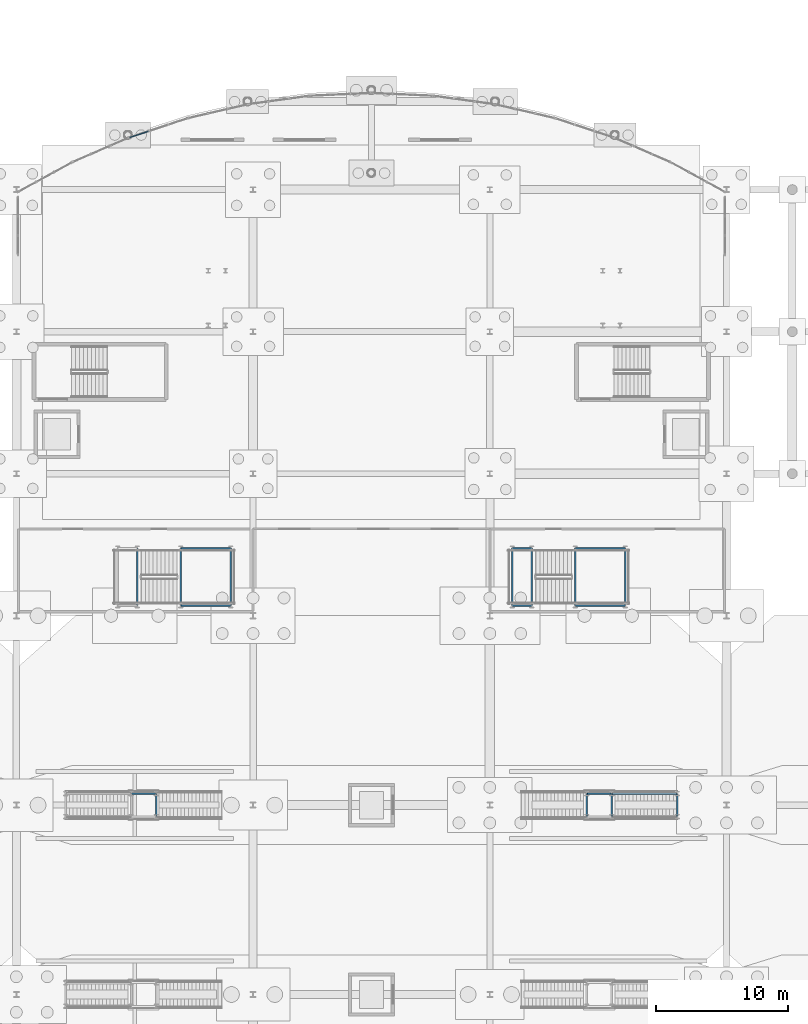
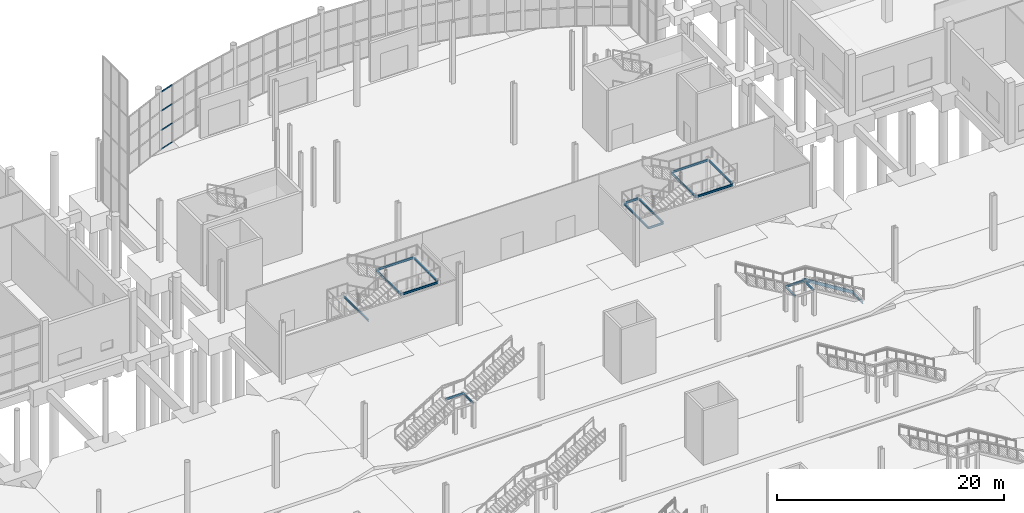
# One storey, part 59 of 115: 19 beams, 5 members, 1 element without a shape of its own.
"""IFC4 building model written with IfcOpenShell, lengths in metres."""

from ifc_helpers import new_model, si_unit, direction, frame, origin, origin_2d, place, context, subcontext, project, spatial, hollow_rectangle, i_section, extrude, material, layer, layer_set, material_profile, profile_set, type_object, element, aggregate, save


model = new_model("IFC4")

# Units and contexts
model_context = context("Model", 3, precision=1e-05, world=origin(), true_north=direction((0.0, 1.0)))
body_context = subcontext(model_context, "Body", "Model", "MODEL_VIEW")
ifc_project = project(units=[si_unit("LENGTHUNIT", "METRE"), si_unit("AREAUNIT", "SQUARE_METRE"), si_unit("VOLUMEUNIT", "CUBIC_METRE"), si_unit("PLANEANGLEUNIT", "RADIAN"), si_unit("MASSUNIT", "GRAM", prefix="KILO")], contexts=[model_context])

# Site, building, storey
site_placement = place(None, origin())
site = spatial("IfcSite", under=ifc_project, at=site_placement, CompositionType="ELEMENT")
building_placement = place(site_placement, origin())
building = spatial("IfcBuilding", under=site, at=building_placement, Name="Tamarisk Ironworks Central Station", CompositionType="ELEMENT")
storey_placement = place(building_placement, origin())
storey = spatial("IfcBuildingStorey", under=building, at=storey_placement, Name="L00", CompositionType="ELEMENT", Elevation=0.0)

# Beams
ifc_material_1 = material(Name="Structural steel S355J2", Category="steel")
ifc_material_profile_1 = material_profile(ifc_material_1, i_section(OverallWidth=0.110107421875, OverallDepth=0.219970703125, WebThickness=0.005859375, FlangeThickness=0.00927734375, at=origin_2d()), Name="IPE 220")
ifc_profile_set_1 = profile_set([ifc_material_profile_1], Name="Structural steel S355J2")
beam_type = type_object("IfcBeamType", Name="BM-J02", PredefinedType="JOIST", material=ifc_profile_set_1)
beam_1_placement = place(storey_placement, frame((63.199951171875, 79.965087890625, 2.97998046875), z_axis=(0.0, 1.0, 0.0), x_axis=(-1.0, 0.0, 0.0)))
element("IfcBeam", 1, at=beam_1_placement, inside=storey, type_object=beam_type, Name="ST-TH1 landing frame beam Z1-4", PredefinedType="JOIST", context=body_context, shape_type="SweptSolid", body=[
    extrude(i_section(OverallWidth=0.110107421875, OverallDepth=0.219970703125, WebThickness=0.005859375, FlangeThickness=0.00927734375, at=origin_2d()), origin(), (0.0, 0.0, 1.0), 4.369873046875),
])
for number, where, z_axis, x_axis, name in (
    (2, (66.5, 79.965087890625, 4.6298828125), (1.0, 0.0, 0.0), (0.0, 1.0, 0.0), "ST-TH1 landing frame beam Z2-1"),
    (3, (66.5, 84.3349609375, 4.6298828125), (1.0, 0.0, 0.0), (0.0, 1.0, 0.0), "ST-TH1 landing frame beam Z2-2"),
):
    element("IfcBeam", number, at=place(storey_placement, frame(where, z_axis=z_axis, x_axis=x_axis)), inside=storey, type_object=beam_type, Name=name, PredefinedType="JOIST", context=body_context, shape_type="SweptSolid", body=[
        extrude(i_section(OverallWidth=0.110107421875, OverallDepth=0.219970703125, WebThickness=0.005859375, FlangeThickness=0.00927734375, at=origin_2d()), origin(), (0.0, 0.0, 1.0), 3.800048828125),
    ])
for number, where, z_axis, x_axis, name in (
    (4, (66.5, 79.965087890625, 4.6298828125), (0.0, 1.0, 0.0), (-1.0, 0.0, 0.0), "ST-TH1 landing frame beam Z2-3"),
    (5, (70.300048828125, 79.965087890625, 4.6298828125), (0.0, 1.0, 0.0), (-1.0, 0.0, 0.0), "ST-TH1 landing frame beam Z2-4"),
):
    element("IfcBeam", number, at=place(storey_placement, frame(where, z_axis=z_axis, x_axis=x_axis)), inside=storey, type_object=beam_type, Name=name, PredefinedType="JOIST", context=body_context, shape_type="SweptSolid", body=[
        extrude(i_section(OverallWidth=0.110107421875, OverallDepth=0.219970703125, WebThickness=0.005859375, FlangeThickness=0.00927734375, at=origin_2d()), origin(), (0.0, 0.0, 1.0), 4.369873046875),
    ])
for number, where, z_axis, x_axis, name in (
    (6, (91.699951171875, 79.965087890625, 2.97998046875), (1.0, 0.0, 0.0), (0.0, 1.0, 0.0), "ST-TH2 landing frame beam Z1-1"),
    (7, (91.699951171875, 84.3349609375, 2.97998046875), (1.0, 0.0, 0.0), (0.0, 1.0, 0.0), "ST-TH2 landing frame beam Z1-2"),
):
    element("IfcBeam", number, at=place(storey_placement, frame(where, z_axis=z_axis, x_axis=x_axis)), inside=storey, type_object=beam_type, Name=name, PredefinedType="JOIST", context=body_context, shape_type="SweptSolid", body=[
        extrude(i_section(OverallWidth=0.110107421875, OverallDepth=0.219970703125, WebThickness=0.005859375, FlangeThickness=0.00927734375, at=origin_2d()), origin(), (0.0, 0.0, 1.0), 1.5),
    ])
for number, where, z_axis, x_axis, name in (
    (8, (91.699951171875, 79.965087890625, 2.97998046875), (0.0, 1.0, 0.0), (-1.0, 0.0, 0.0), "ST-TH2 landing frame beam Z1-3"),
    (9, (93.199951171875, 79.965087890625, 2.97998046875), (0.0, 1.0, 0.0), (-1.0, 0.0, 0.0), "ST-TH2 landing frame beam Z1-4"),
):
    element("IfcBeam", number, at=place(storey_placement, frame(where, z_axis=z_axis, x_axis=x_axis)), inside=storey, type_object=beam_type, Name=name, PredefinedType="JOIST", context=body_context, shape_type="SweptSolid", body=[
        extrude(i_section(OverallWidth=0.110107421875, OverallDepth=0.219970703125, WebThickness=0.005859375, FlangeThickness=0.00927734375, at=origin_2d()), origin(), (0.0, 0.0, 1.0), 4.369873046875),
    ])
for number, where, z_axis, x_axis, name in (
    (10, (96.5, 79.965087890625, 4.6298828125), (1.0, 0.0, 0.0), (0.0, 1.0, 0.0), "ST-TH2 landing frame beam Z2-1"),
    (11, (96.5, 84.3349609375, 4.6298828125), (1.0, 0.0, 0.0), (0.0, 1.0, 0.0), "ST-TH2 landing frame beam Z2-2"),
):
    element("IfcBeam", number, at=place(storey_placement, frame(where, z_axis=z_axis, x_axis=x_axis)), inside=storey, type_object=beam_type, Name=name, PredefinedType="JOIST", context=body_context, shape_type="SweptSolid", body=[
        extrude(i_section(OverallWidth=0.110107421875, OverallDepth=0.219970703125, WebThickness=0.005859375, FlangeThickness=0.00927734375, at=origin_2d()), origin(), (0.0, 0.0, 1.0), 3.800048828125),
    ])
for number, where, z_axis, x_axis, name in (
    (12, (96.5, 79.965087890625, 4.6298828125), (0.0, 1.0, 0.0), (-1.0, 0.0, 0.0), "ST-TH2 landing frame beam Z2-3"),
    (13, (100.300048828125, 79.965087890625, 4.6298828125), (0.0, 1.0, 0.0), (-1.0, 0.0, 0.0), "ST-TH2 landing frame beam Z2-4"),
):
    element("IfcBeam", number, at=place(storey_placement, frame(where, z_axis=z_axis, x_axis=x_axis)), inside=storey, type_object=beam_type, Name=name, PredefinedType="JOIST", context=body_context, shape_type="SweptSolid", body=[
        extrude(i_section(OverallWidth=0.110107421875, OverallDepth=0.219970703125, WebThickness=0.005859375, FlangeThickness=0.00927734375, at=origin_2d()), origin(), (0.0, 0.0, 1.0), 4.369873046875),
    ])
beam_2_placement = place(storey_placement, frame((62.739990234375, 65.679931640625, 3.330078125), z_axis=(1.0, 0.0, 0.0), x_axis=(0.0, 1.0, 0.0)))
element("IfcBeam", 14, at=beam_2_placement, inside=storey, type_object=beam_type, Name="ST-P4A mid-landing tie beam 2", PredefinedType="JOIST", context=body_context, shape_type="SweptSolid", body=[
    extrude(i_section(OverallWidth=0.110107421875, OverallDepth=0.219970703125, WebThickness=0.005859375, FlangeThickness=0.00927734375, at=origin_2d()), origin(), (0.0, 0.0, 1.0), 1.880126953125),
])
beam_3_placement = place(storey_placement, frame((64.6201171875, 63.919921875, 3.330078125), z_axis=(0.0, 1.0, 0.0), x_axis=(-1.0, 0.0, 0.0)))
element("IfcBeam", 15, at=beam_3_placement, inside=storey, type_object=beam_type, Name="ST-P4A mid-landing tie beam 4", PredefinedType="JOIST", context=body_context, shape_type="SweptSolid", body=[
    extrude(i_section(OverallWidth=0.110107421875, OverallDepth=0.219970703125, WebThickness=0.005859375, FlangeThickness=0.00927734375, at=origin_2d()), origin(), (0.0, 0.0, 1.0), 1.760009765625),
])
beam_4_placement = place(storey_placement, frame((97.3798828125, 65.679931640625, 3.330078125), z_axis=(1.0, 0.0, 0.0), x_axis=(0.0, 1.0, 0.0)))
element("IfcBeam", 16, at=beam_4_placement, inside=storey, type_object=beam_type, Name="ST-P4B mid-landing tie beam 2", PredefinedType="JOIST", context=body_context, shape_type="SweptSolid", body=[
    extrude(i_section(OverallWidth=0.110107421875, OverallDepth=0.219970703125, WebThickness=0.005859375, FlangeThickness=0.00927734375, at=origin_2d()), origin(), (0.0, 0.0, 1.0), 1.880126953125),
])
for number, where, z_axis, x_axis, name in (
    (17, (97.3798828125, 63.919921875, 3.330078125), (0.0, 1.0, 0.0), (-1.0, 0.0, 0.0), "ST-P4B mid-landing tie beam 3"),
    (18, (99.260009765625, 63.919921875, 3.330078125), (0.0, 1.0, 0.0), (-1.0, 0.0, 0.0), "ST-P4B mid-landing tie beam 4"),
    (19, (104.239990234375, 63.919921875, 0.239990234375), (0.0, 1.0, 0.0), (-1.0, 0.0, 0.0), "ST-P4B bottom stringer tie beam"),
):
    element("IfcBeam", number, at=place(storey_placement, frame(where, z_axis=z_axis, x_axis=x_axis)), inside=storey, type_object=beam_type, Name=name, PredefinedType="JOIST", context=body_context, shape_type="SweptSolid", body=[
        extrude(i_section(OverallWidth=0.110107421875, OverallDepth=0.219970703125, WebThickness=0.005859375, FlangeThickness=0.00927734375, at=origin_2d()), origin(), (0.0, 0.0, 1.0), 1.760009765625),
    ])

# Curtain wall, members
ifc_material_2 = material(Name="Anodized aluminium alloy 6063-T6", Category="aluminium")
ifc_layer = layer(ifc_material_2, 0.179931640625)
ifc_layer_set = layer_set([ifc_layer], Name="Anodized aluminium alloy 6063-T6")
curtain_wall_type = type_object("IfcCurtainWallType", Name="CW-01", PredefinedType="USERDEFINED", material=ifc_layer_set)
curtain_wall_placement = place(storey_placement, origin())
curtain_wall = element("IfcCurtainWall", 20, at=curtain_wall_placement, inside=storey, type_object=curtain_wall_type, Name="NN rounded entrance hall L00 curtain wall bay 03", ObjectType="GLAZED CURTAIN WALL", PredefinedType="USERDEFINED")
ifc_material_profile_2 = material_profile(ifc_material_2, hollow_rectangle(XDim=0.06494140625, YDim=0.135009765625, WallThickness=0.00341796875, at=origin_2d()), Name="ALUM 135x65")
ifc_profile_set_2 = profile_set([ifc_material_profile_2], Name="Anodized aluminium alloy 6063-T6")
member_type_1 = type_object("IfcMemberType", Name="CWT-02", PredefinedType="USERDEFINED", material=ifc_profile_set_2)
member_1_placement = place(storey_placement, frame((62.626220703125, 115.56640625, 0.032470703125), z_axis=(0.949684588352, 0.313207890462, 0.0), x_axis=(-0.313207890462, 0.949684588352, 0.0)))
member_1 = element("IfcMember", 21, at=member_1_placement, type_object=member_type_1, Name="CW01 transom 1.1", ObjectType="TRANSOM", PredefinedType="USERDEFINED", context=body_context, shape_type="SweptSolid", body=[
    extrude(hollow_rectangle(XDim=0.06494140625, YDim=0.135009765625, WallThickness=0.00341796875, at=origin_2d()), origin(), (0.0, 0.0, 1.0), 1.480224609375),
])
member_2_placement = place(storey_placement, frame((62.626220703125, 115.56640625, 2.0732421875), z_axis=(0.949684588352, 0.313207890462, 0.0), x_axis=(-0.313207890462, 0.949684588352, 0.0)))
member_2 = element("IfcMember", 22, at=member_2_placement, type_object=member_type_1, Name="CW01 transom 1.2", ObjectType="TRANSOM", PredefinedType="USERDEFINED", context=body_context, shape_type="SweptSolid", body=[
    extrude(hollow_rectangle(XDim=0.06494140625, YDim=0.135009765625, WallThickness=0.00341796875, at=origin_2d()), origin(), (0.0, 0.0, 1.0), 1.480224609375),
])
member_3_placement = place(storey_placement, frame((62.626220703125, 115.56640625, 4.146728515625), z_axis=(0.949684588352, 0.313207890462, 0.0), x_axis=(-0.313207890462, 0.949684588352, 0.0)))
member_3 = element("IfcMember", 23, at=member_3_placement, type_object=member_type_1, Name="CW01 transom 1.3", ObjectType="TRANSOM", PredefinedType="USERDEFINED", context=body_context, shape_type="SweptSolid", body=[
    extrude(hollow_rectangle(XDim=0.06494140625, YDim=0.135009765625, WallThickness=0.00341796875, at=origin_2d()), origin(), (0.0, 0.0, 1.0), 1.480224609375),
])
member_4_placement = place(storey_placement, frame((62.626220703125, 115.56640625, 6.1875), z_axis=(0.949684588352, 0.313207890462, 0.0), x_axis=(-0.313207890462, 0.949684588352, 0.0)))
member_4 = element("IfcMember", 24, at=member_4_placement, type_object=member_type_1, Name="CW01 transom 1.4", ObjectType="TRANSOM", PredefinedType="USERDEFINED", context=body_context, shape_type="SweptSolid", body=[
    extrude(hollow_rectangle(XDim=0.06494140625, YDim=0.135009765625, WallThickness=0.00341796875, at=origin_2d()), origin(), (0.0, 0.0, 1.0), 1.480224609375),
])
aggregate(curtain_wall, [member_1, member_2, member_3, member_4])

# Member
ifc_material_profile_3 = material_profile(ifc_material_1, hollow_rectangle(XDim=0.14990234375, YDim=0.300048828125, WallThickness=0.010009765625, at=origin_2d()), Name="RHS 300x150x10")
ifc_profile_set_3 = profile_set([ifc_material_profile_3], Name="Structural steel S355J2")
member_type_2 = type_object("IfcMemberType", Name="MB-STR01", PredefinedType="STRINGER", material=ifc_profile_set_3)
member_5_placement = place(storey_placement, frame((104.239990234375, 65.679931640625, 0.340087890625), z_axis=(-0.848964905475, 0.0, 0.528449230553), x_axis=(0.0, -1.0, 0.0)))
element("IfcMember", 25, at=member_5_placement, inside=storey, type_object=member_type_2, Name="ST-P4B lower flight steel stringer N", PredefinedType="STRINGER", context=body_context, shape_type="SweptSolid", body=[
    extrude(hollow_rectangle(XDim=0.14990234375, YDim=0.300048828125, WallThickness=0.010009765625, at=origin_2d()), origin(), (0.0, 0.0, 1.0), 5.865966796875),
])

save(model, "model.ifc")
